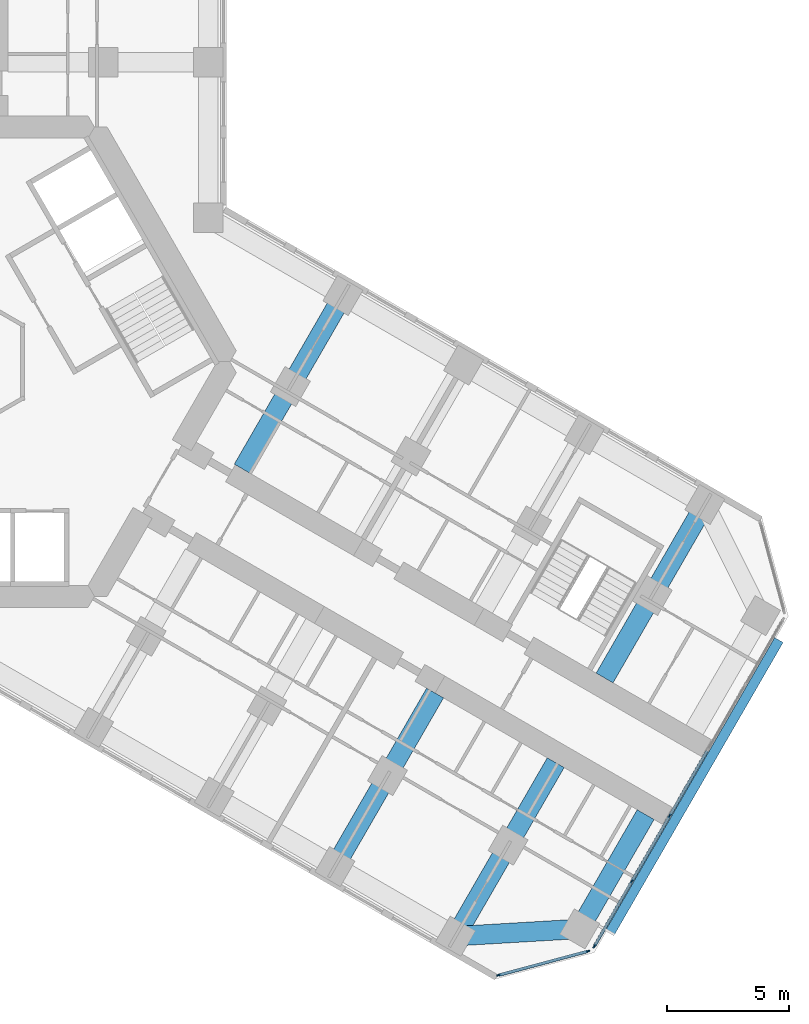
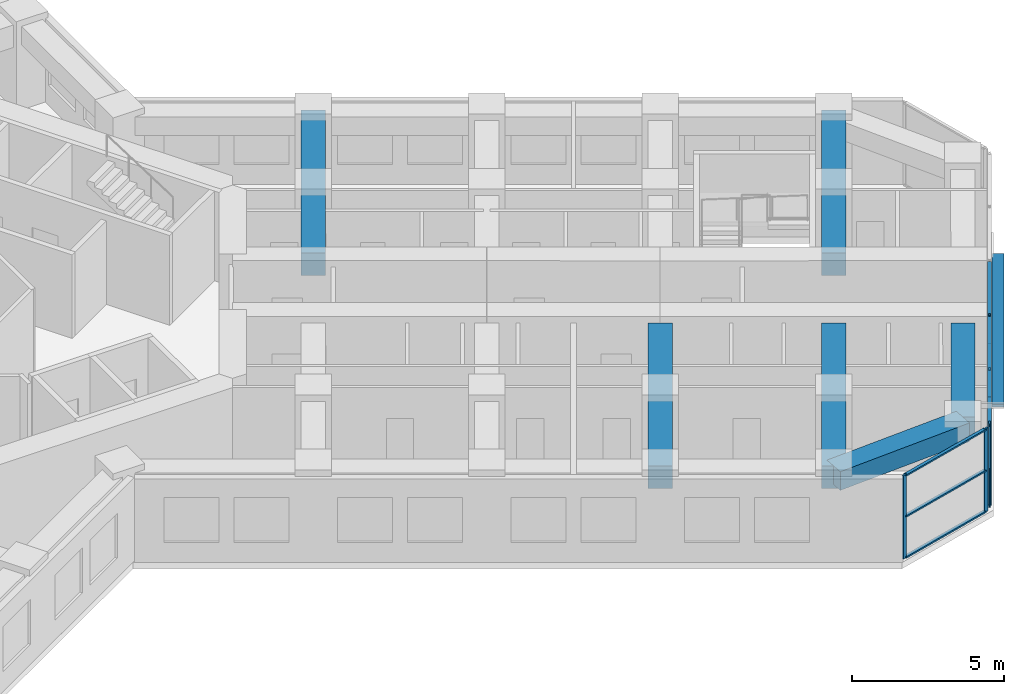
# One storey, part 5 of 20: 15 members, 6 beams, 2 elements without a shape of their own.
"""IFC4 building model written with IfcOpenShell, lengths in metres."""

from ifc_helpers import new_model, si_unit, direction, frame, origin, origin_2d, place, context, subcontext, project, spatial, rectangle, extrude, material, material_profile, profile_set, type_object, element, aggregate, save


model = new_model("IFC4")

# Units and contexts
model_context = context("Model", 3, precision=1e-05, world=origin(), true_north=direction((0.0, 1.0)))
body_context = subcontext(model_context, "Body", "Model", "MODEL_VIEW")
ifc_project = project(units=[si_unit("LENGTHUNIT", "METRE"), si_unit("AREAUNIT", "SQUARE_METRE"), si_unit("VOLUMEUNIT", "CUBIC_METRE"), si_unit("PLANEANGLEUNIT", "RADIAN"), si_unit("MASSUNIT", "GRAM", prefix="KILO")], contexts=[model_context])

# Site, building, storey
site_placement = place(None, origin())
site = spatial("IfcSite", under=ifc_project, at=site_placement, CompositionType="ELEMENT")
building_placement = place(site_placement, origin())
building = spatial("IfcBuilding", under=site, at=building_placement, Name="Kosmar Iwan School Tower", CompositionType="ELEMENT")
storey_placement = place(building_placement, frame((0.0, 0.0, 127.39990234375)))
storey = spatial("IfcBuildingStorey", under=building, at=storey_placement, Name="L31", CompositionType="ELEMENT", Elevation=127.39990234375)

# Member
ifc_material_1 = material(Name="Black anodised aluminium", Category="aluminium")
ifc_material_profile_1 = material_profile(ifc_material_1, rectangle(XDim=0.10009765625, YDim=0.39990234375, at=origin_2d()), Name="FIN 100x400")
ifc_profile_set_1 = profile_set([ifc_material_profile_1], Name="Black anodised aluminium")
member_type_1 = type_object("IfcMemberType", Name="Diagonal fin 100x400", PredefinedType="USERDEFINED", material=ifc_profile_set_1)
member_1_placement = place(storey_placement, frame((33.54345703125, -11.40087890625, -0.14990234375), z_axis=(-0.483793446988, -0.837970316603, 0.25248692866), x_axis=(0.126241714543, 0.218661104574, 0.96760030532)))
element("IfcMember", 1, at=member_1_placement, inside=storey, type_object=member_type_1, Name="Diagonal fin L31-F03", ObjectType="FIN", PredefinedType="USERDEFINED", context=body_context, shape_type="SweptSolid", body=[
    extrude(rectangle(XDim=0.10009765625, YDim=0.39990234375, at=origin_2d()), origin(), (0.0, 0.0, 1.0), 14.258544921875),
])

# Curtain wall, members
ifc_material_2 = material(Name="Dark glass in black aluminium frame", Category="aluminium")
curtain_wall_type_1 = type_object("IfcCurtainWallType", Name="Chamfer curtain wall dark glass", PredefinedType="USERDEFINED", material=ifc_material_2)
curtain_wall_1_placement = place(storey_placement, origin())
curtain_wall_1 = element("IfcCurtainWall", 2, at=curtain_wall_1_placement, inside=storey, type_object=curtain_wall_type_1, Name="Curtain wall L31-F02", ObjectType="FACETED CURTAIN WALL", PredefinedType="USERDEFINED")
ifc_material_3 = material(Name="Black anodised aluminium", Category="aluminium")
ifc_material_profile_2 = material_profile(ifc_material_3, rectangle(XDim=0.06005859375, YDim=0.159912109375, at=origin_2d()), Name="MULLION 60x160")
ifc_profile_set_2 = profile_set([ifc_material_profile_2], Name="Black anodised aluminium")
member_type_2 = type_object("IfcMemberType", Name="Mullion 60x160", PredefinedType="MULLION", material=ifc_profile_set_2)
member_2_placement = place(storey_placement, frame((22.0830078125, -25.102294921875, 0.0), z_axis=(0.0, 0.0, 1.0), x_axis=(-0.258818861462, 0.965925875495, 0.0)))
member_2 = element("IfcMember", 3, at=member_2_placement, type_object=member_type_2, Name="CW2 mullion 1", PredefinedType="MULLION", context=body_context, shape_type="SweptSolid", body=[
    extrude(rectangle(XDim=0.06005859375, YDim=0.159912109375, at=origin_2d()), origin(), (0.0, 0.0, 1.0), 3.35009765625),
])
member_3_placement = place(storey_placement, frame((25.733154296875, -24.124267578125, 0.0), z_axis=(0.0, 0.0, 1.0), x_axis=(-0.258818861462, 0.965925875495, 0.0)))
member_3 = element("IfcMember", 4, at=member_3_placement, type_object=member_type_2, Name="CW2 mullion 2", PredefinedType="MULLION", context=body_context, shape_type="SweptSolid", body=[
    extrude(rectangle(XDim=0.06005859375, YDim=0.159912109375, at=origin_2d()), origin(), (0.0, 0.0, 1.0), 3.35009765625),
])

ifc_material_4 = material(Name="Dark glass in black aluminium frame", Category="aluminium")
curtain_wall_type_2 = type_object("IfcCurtainWallType", Name="Tower curtain wall dark glass", PredefinedType="USERDEFINED", material=ifc_material_4)
curtain_wall_2_placement = place(storey_placement, origin())
curtain_wall_2 = element("IfcCurtainWall", 5, at=curtain_wall_2_placement, inside=storey, type_object=curtain_wall_type_2, Name="Curtain wall L31-F03", ObjectType="UNITISED CURTAIN WALL", PredefinedType="USERDEFINED")
member_4_placement = place(storey_placement, frame((25.9970703125, -23.921630859375, 0.0), z_axis=(0.0, 0.0, 1.0), x_axis=(-0.866025405329, 0.499999997325, 0.0)))
member_4 = element("IfcMember", 6, at=member_4_placement, type_object=member_type_2, Name="CW1 mullion 1", PredefinedType="MULLION", context=body_context, shape_type="SweptSolid", body=[
    extrude(rectangle(XDim=0.06005859375, YDim=0.159912109375, at=origin_2d()), origin(), (0.0, 0.0, 1.0), 3.35009765625),
])
member_5_placement = place(storey_placement, frame((27.53173828125, -21.263671875, 0.0), z_axis=(0.0, 0.0, 1.0), x_axis=(-0.866025405329, 0.499999997325, 0.0)))
member_5 = element("IfcMember", 7, at=member_5_placement, type_object=member_type_2, Name="CW1 mullion 2", PredefinedType="MULLION", context=body_context, shape_type="SweptSolid", body=[
    extrude(rectangle(XDim=0.06005859375, YDim=0.159912109375, at=origin_2d()), origin(), (0.0, 0.0, 1.0), 3.35009765625),
])
member_6_placement = place(storey_placement, frame((29.081298828125, -18.57958984375, 0.0), z_axis=(0.0, 0.0, 1.0), x_axis=(-0.866025405329, 0.499999997325, 0.0)))
member_6 = element("IfcMember", 8, at=member_6_placement, type_object=member_type_2, Name="CW1 mullion 3", PredefinedType="MULLION", context=body_context, shape_type="SweptSolid", body=[
    extrude(rectangle(XDim=0.06005859375, YDim=0.159912109375, at=origin_2d()), origin(), (0.0, 0.0, 1.0), 3.35009765625),
])

# Beams
ifc_material_5 = material(Name="Concrete C50/60", Category="concrete")
ifc_material_profile_3 = material_profile(ifc_material_5, rectangle(XDim=0.800048828125, YDim=0.75, at=origin_2d()), Name="RC 800x750")
ifc_profile_set_3 = profile_set([ifc_material_profile_3], Name="Concrete C50/60")
beam_type_1 = type_object("IfcBeamType", Name="RC tip beam 800x750", PredefinedType="BEAM", material=ifc_profile_set_3)
beam_1_placement = place(storey_placement, frame((20.31787109375, -23.508544921875, 2.97509765625), z_axis=(0.998260616478, 0.058955420358, 0.0), x_axis=(-0.058955420358, 0.998260616478, 0.0)))
element("IfcBeam", 9, at=beam_1_placement, inside=storey, type_object=beam_type_1, Name="Tip beam CR", PredefinedType="BEAM", context=body_context, shape_type="SweptSolid", body=[
    extrude(rectangle(XDim=0.800048828125, YDim=0.75, at=origin_2d()), origin(), (0.0, 0.0, 1.0), 5.08935546875),
])
beam_2_placement = place(storey_placement, frame((25.3984375, -23.20849609375, 2.97509765625), z_axis=(0.499995103361, 0.866028230842, 0.0), x_axis=(-0.866028230842, 0.499995103361, 0.0)))
element("IfcBeam", 10, at=beam_2_placement, inside=storey, type_object=beam_type_1, Name="Tip beam CR to corridor wall", PredefinedType="BEAM", context=body_context, shape_type="SweptSolid", body=[
    extrude(rectangle(XDim=0.800048828125, YDim=0.75, at=origin_2d()), origin(), (0.0, 0.0, 1.0), 5.39990234375),
])
ifc_material_6 = material(Name="Concrete C50/60", Category="concrete")
ifc_material_profile_4 = material_profile(ifc_material_6, rectangle(XDim=0.800048828125, YDim=0.89990234375, at=origin_2d()), Name="RC 800x900")
ifc_profile_set_4 = profile_set([ifc_material_profile_4], Name="Concrete C50/60")
beam_type_2 = type_object("IfcBeamType", Name="RC transverse beam 800x900", PredefinedType="BEAM", material=ifc_profile_set_4)
for number, where, z_axis, x_axis, name in (
    (11, (15.708740234375, 2.70849609375, 2.900146484375), (-0.499978459874, -0.866037839625, 0.0), (0.866037839625, -0.499978459874, 0.0), "Transverse beam CL1"),
    (12, (30.517822265625, -5.841552734375, 2.900146484375), (-0.500013681986, -0.866017504342, 0.0), (0.866017504342, -0.500013681986, 0.0), "Transverse beam CL4"),
    (13, (15.381591796875, -20.658447265625, 2.900146484375), (0.49999135188, 0.866030396721, 0.0), (-0.866030396721, 0.49999135188, 0.0), "Transverse beam CR3"),
    (14, (20.31787109375, -23.508544921875, 2.900146484375), (0.499978459874, 0.866037839625, 0.0), (-0.866037839625, 0.499978459874, 0.0), "Transverse beam CR4"),
):
    element("IfcBeam", number, at=place(storey_placement, frame(where, z_axis=z_axis, x_axis=x_axis)), inside=storey, type_object=beam_type_2, Name=name, PredefinedType="BEAM", context=body_context, shape_type="SweptSolid", body=[
        extrude(rectangle(XDim=0.800048828125, YDim=0.89990234375, at=origin_2d()), origin(), (0.0, 0.0, 1.0), 8.199951171875),
    ])

# Member
ifc_material_7 = material(Name="Black anodised aluminium", Category="aluminium")
ifc_material_profile_5 = material_profile(ifc_material_7, rectangle(XDim=0.1201171875, YDim=0.06005859375, at=origin_2d()), Name="TRANSOM 60x120")
ifc_profile_set_5 = profile_set([ifc_material_profile_5], Name="Black anodised aluminium")
member_type_3 = type_object("IfcMemberType", Name="Transom 60x120", PredefinedType="USERDEFINED", material=ifc_profile_set_5)
member_7_placement = place(storey_placement, frame((22.11181640625, -25.094482421875, 0.030029296875), z_axis=(0.965923731726, 0.258826861991, 0.0), x_axis=(-0.258826861991, 0.965923731726, 0.0)))
member_7 = element("IfcMember", 15, at=member_7_placement, type_object=member_type_3, Name="CW2 transom 1.1", ObjectType="TRANSOM", PredefinedType="USERDEFINED", context=body_context, shape_type="SweptSolid", body=[
    extrude(rectangle(XDim=0.1201171875, YDim=0.06005859375, at=origin_2d()), origin(), (0.0, 0.0, 1.0), 3.71923828125),
])

member_8_placement = place(storey_placement, frame((22.11181640625, -25.094482421875, 1.675048828125), z_axis=(0.965923731726, 0.258826861991, 0.0), x_axis=(-0.258826861991, 0.965923731726, 0.0)))
member_8 = element("IfcMember", 16, at=member_8_placement, type_object=member_type_3, Name="CW2 transom 1.2", ObjectType="TRANSOM", PredefinedType="USERDEFINED", context=body_context, shape_type="SweptSolid", body=[
    extrude(rectangle(XDim=0.1201171875, YDim=0.06005859375, at=origin_2d()), origin(), (0.0, 0.0, 1.0), 3.71923828125),
])

member_9_placement = place(storey_placement, frame((22.11181640625, -25.094482421875, 3.320068359375), z_axis=(0.965923731726, 0.258826861991, 0.0), x_axis=(-0.258826861991, 0.965923731726, 0.0)))
member_9 = element("IfcMember", 17, at=member_9_placement, type_object=member_type_3, Name="CW2 transom 1.3", ObjectType="TRANSOM", PredefinedType="USERDEFINED", context=body_context, shape_type="SweptSolid", body=[
    extrude(rectangle(XDim=0.1201171875, YDim=0.06005859375, at=origin_2d()), origin(), (0.0, 0.0, 1.0), 3.71923828125),
])

aggregate(curtain_wall_1, [member_2, member_3, member_7, member_8, member_9])

member_10_placement = place(storey_placement, frame((26.01220703125, -23.895751953125, 0.030029296875), z_axis=(0.499986971506, 0.866032925658, 0.0), x_axis=(-0.866032925658, 0.499986971506, 0.0)))
member_10 = element("IfcMember", 18, at=member_10_placement, type_object=member_type_3, Name="CW1 transom 1.1", ObjectType="TRANSOM", PredefinedType="USERDEFINED", context=body_context, shape_type="SweptSolid", body=[
    extrude(rectangle(XDim=0.1201171875, YDim=0.06005859375, at=origin_2d()), origin(), (0.0, 0.0, 1.0), 3.00927734375),
])

member_11_placement = place(storey_placement, frame((26.01220703125, -23.895751953125, 3.320068359375), z_axis=(0.499986971506, 0.866032925658, 0.0), x_axis=(-0.866032925658, 0.499986971506, 0.0)))
member_11 = element("IfcMember", 19, at=member_11_placement, type_object=member_type_3, Name="CW1 transom 1.2", ObjectType="TRANSOM", PredefinedType="USERDEFINED", context=body_context, shape_type="SweptSolid", body=[
    extrude(rectangle(XDim=0.1201171875, YDim=0.06005859375, at=origin_2d()), origin(), (0.0, 0.0, 1.0), 3.00927734375),
])

member_12_placement = place(storey_placement, frame((27.546875, -21.237548828125, 0.030029296875), z_axis=(0.499975102327, 0.866039777986, 0.0), x_axis=(-0.866039777986, 0.499975102327, 0.0)))
member_12 = element("IfcMember", 20, at=member_12_placement, type_object=member_type_3, Name="CW1 transom 2.1", ObjectType="TRANSOM", PredefinedType="USERDEFINED", context=body_context, shape_type="SweptSolid", body=[
    extrude(rectangle(XDim=0.1201171875, YDim=0.06005859375, at=origin_2d()), origin(), (0.0, 0.0, 1.0), 3.039306640625),
])

member_13_placement = place(storey_placement, frame((27.546875, -21.237548828125, 3.320068359375), z_axis=(0.499975102327, 0.866039777986, 0.0), x_axis=(-0.866039777986, 0.499975102327, 0.0)))
member_13 = element("IfcMember", 21, at=member_13_placement, type_object=member_type_3, Name="CW1 transom 2.2", ObjectType="TRANSOM", PredefinedType="USERDEFINED", context=body_context, shape_type="SweptSolid", body=[
    extrude(rectangle(XDim=0.1201171875, YDim=0.06005859375, at=origin_2d()), origin(), (0.0, 0.0, 1.0), 3.039306640625),
])

member_14_placement = place(storey_placement, frame((29.096435546875, -18.553466796875, 0.030029296875), z_axis=(0.499975102327, 0.866039777986, 0.0), x_axis=(-0.866039777986, 0.499975102327, 0.0)))
member_14 = element("IfcMember", 22, at=member_14_placement, type_object=member_type_3, Name="CW1 transom 3.1", ObjectType="TRANSOM", PredefinedType="USERDEFINED", context=body_context, shape_type="SweptSolid", body=[
    extrude(rectangle(XDim=0.1201171875, YDim=0.06005859375, at=origin_2d()), origin(), (0.0, 0.0, 1.0), 3.039306640625),
])

member_15_placement = place(storey_placement, frame((29.096435546875, -18.553466796875, 3.320068359375), z_axis=(0.499975102327, 0.866039777986, 0.0), x_axis=(-0.866039777986, 0.499975102327, 0.0)))
member_15 = element("IfcMember", 23, at=member_15_placement, type_object=member_type_3, Name="CW1 transom 3.2", ObjectType="TRANSOM", PredefinedType="USERDEFINED", context=body_context, shape_type="SweptSolid", body=[
    extrude(rectangle(XDim=0.1201171875, YDim=0.06005859375, at=origin_2d()), origin(), (0.0, 0.0, 1.0), 3.039306640625),
])

aggregate(curtain_wall_2, [member_4, member_5, member_6, member_10, member_11, member_12, member_13, member_14, member_15])

save(model, "model.ifc")
